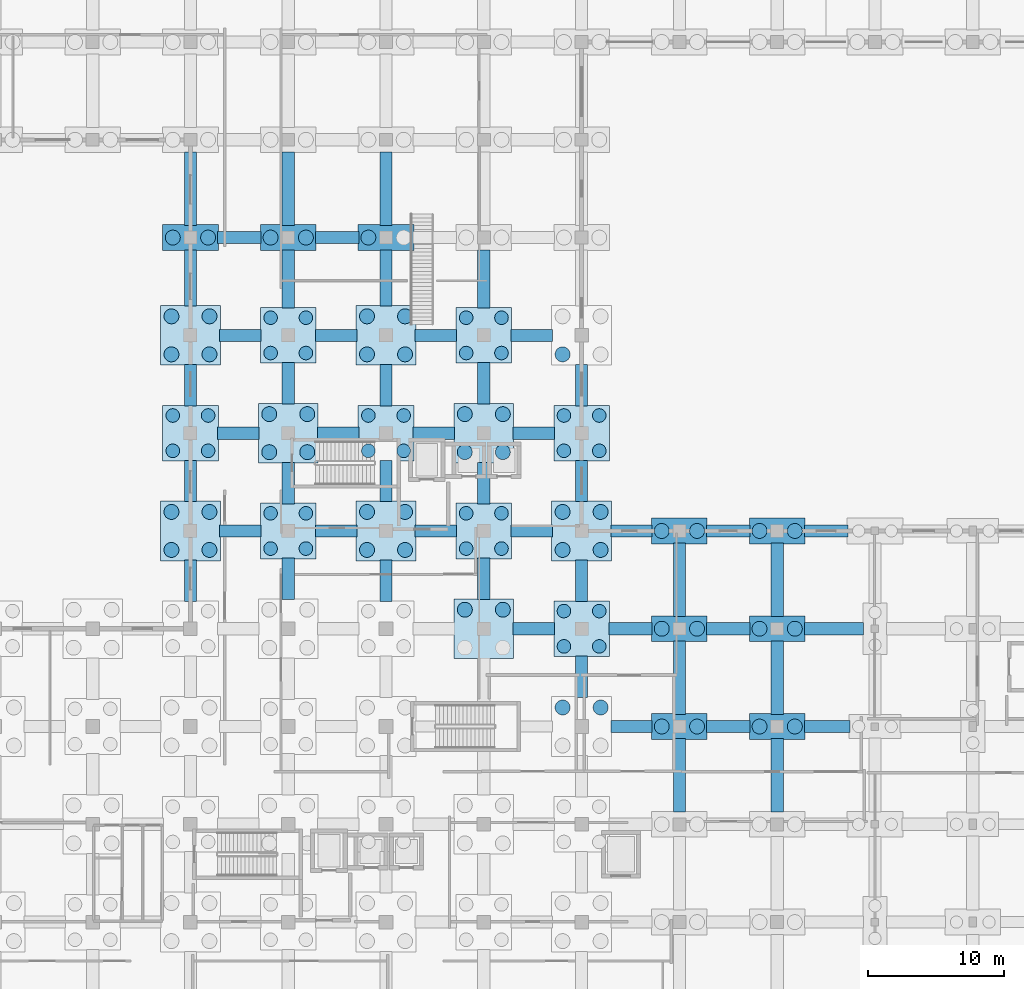
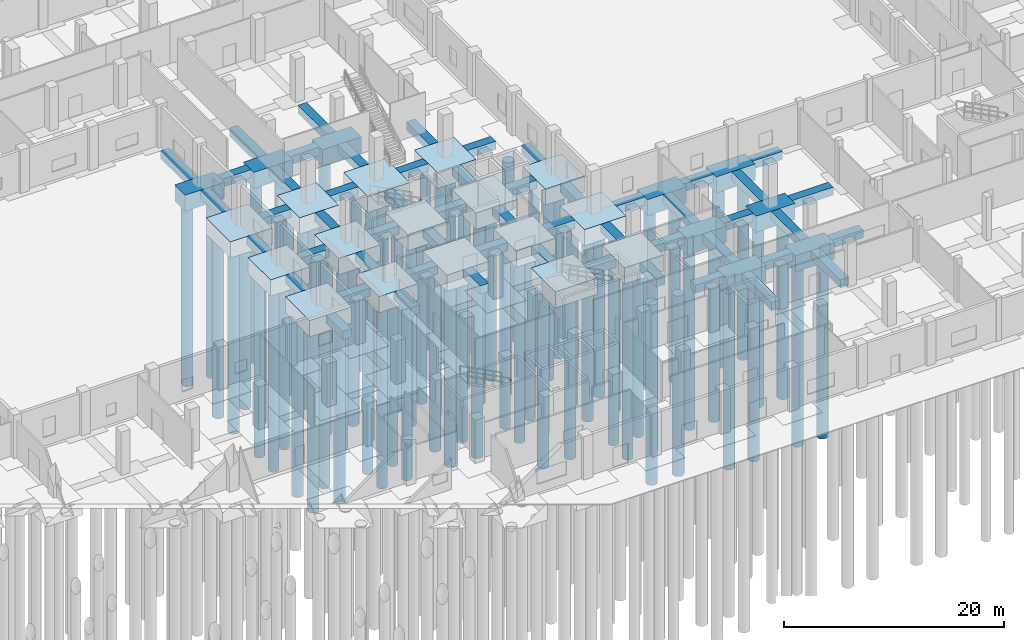
# One storey, part 5 of 48: 82 piles, 78 footings.
"""IFC4 building model written with IfcOpenShell, lengths in metres."""

from ifc_helpers import new_model, si_unit, direction, frame, origin, origin_2d, place, context, subcontext, project, spatial, rectangle, circle, extrude, material, material_profile, profile_set, type_object, element, save


model = new_model("IFC4")

# Units and contexts
model_context = context("Model", 3, precision=1e-05, world=origin(), true_north=direction((0.0, 1.0)))
body_context = subcontext(model_context, "Body", "Model", "MODEL_VIEW")
ifc_project = project(units=[si_unit("LENGTHUNIT", "METRE"), si_unit("AREAUNIT", "SQUARE_METRE"), si_unit("VOLUMEUNIT", "CUBIC_METRE"), si_unit("PLANEANGLEUNIT", "RADIAN"), si_unit("MASSUNIT", "GRAM", prefix="KILO")], contexts=[model_context])

# Site, building, storey
site_placement = place(None, origin())
site = spatial("IfcSite", under=ifc_project, at=site_placement, CompositionType="ELEMENT")
building_placement = place(site_placement, origin())
building = spatial("IfcBuilding", under=site, at=building_placement, Name="Seraya Terrace Polytechnic", CompositionType="ELEMENT")
storey_placement = place(building_placement, origin())
storey = spatial("IfcBuildingStorey", under=building, at=storey_placement, Name="L00", CompositionType="ELEMENT", Elevation=0.0)

# Piles
ifc_material = material(Name="Concrete C40/50", Category="concrete")
ifc_material_profile_1 = material_profile(ifc_material, circle(Radius=0.5, at=origin_2d()), Name="DIA 1000")
ifc_profile_set_1 = profile_set([ifc_material_profile_1], Name="Concrete C40/50")
pile_type_1 = type_object("IfcPileType", Name="BP-03", PredefinedType="BORED", material=ifc_profile_set_1)
for number, where, z_axis, x_axis, name in (
    (1, (77.89990234375, 41.89990234375, -1.699951171875), (0.0, 0.0, -1.0), (1.0, 0.0, 0.0), "Bored pile BP-03 0792_0432-1"),
    (2, (80.5, 41.89990234375, -1.699951171875), (0.0, 0.0, -1.0), (1.0, 0.0, 0.0), "Bored pile BP-03 0792_0432-2"),
    (3, (77.89990234375, 44.5, -1.699951171875), (0.0, 0.0, -1.0), (1.0, 0.0, 0.0), "Bored pile BP-03 0792_0432-3"),
    (4, (80.5, 44.5, -1.699951171875), (0.0, 0.0, -1.0), (1.0, 0.0, 0.0), "Bored pile BP-03 0792_0432-4"),
    (5, (85.10009765625, 34.699951171875, -1.699951171875), (0.0, 0.0, -1.0), (1.0, 0.0, 0.0), "Bored pile BP-03 0864_0360-1"),
    (6, (87.699951171875, 34.699951171875, -1.699951171875), (0.0, 0.0, -1.0), (1.0, 0.0, 0.0), "Bored pile BP-03 0864_0360-2"),
    (7, (85.10009765625, 37.300048828125, -1.699951171875), (0.0, 0.0, -1.0), (1.0, 0.0, 0.0), "Bored pile BP-03 0864_0360-3"),
    (8, (87.699951171875, 37.300048828125, -1.699951171875), (0.0, 0.0, -1.0), (1.0, 0.0, 0.0), "Bored pile BP-03 0864_0360-4"),
    (9, (85.10009765625, 49.10009765625, -1.699951171875), (0.0, 0.0, -1.0), (1.0, 0.0, 0.0), "Bored pile BP-03 0864_0504-1"),
    (10, (87.699951171875, 49.10009765625, -1.699951171875), (0.0, 0.0, -1.0), (1.0, 0.0, 0.0), "Bored pile BP-03 0864_0504-2"),
    (11, (85.10009765625, 51.699951171875, -1.699951171875), (0.0, 0.0, -1.0), (1.0, 0.0, 0.0), "Bored pile BP-03 0864_0504-3"),
    (12, (87.699951171875, 51.699951171875, -1.699951171875), (0.0, 0.0, -1.0), (1.0, 0.0, 0.0), "Bored pile BP-03 0864_0504-4"),
    (13, (92.300048828125, 41.89990234375, -1.699951171875), (0.0, 0.0, -1.0), (1.0, 0.0, 0.0), "Bored pile BP-03 0936_0432-1"),
    (14, (94.89990234375, 41.89990234375, -1.699951171875), (0.0, 0.0, -1.0), (1.0, 0.0, 0.0), "Bored pile BP-03 0936_0432-2"),
    (15, (92.300048828125, 44.5, -1.699951171875), (0.0, 0.0, -1.0), (1.0, 0.0, 0.0), "Bored pile BP-03 0936_0432-3"),
    (16, (94.89990234375, 44.5, -1.699951171875), (0.0, 0.0, -1.0), (1.0, 0.0, 0.0), "Bored pile BP-03 0936_0432-4"),
    (17, (99.5, 34.699951171875, -1.699951171875), (0.0, 0.0, -1.0), (1.0, 0.0, 0.0), "Bored pile BP-03 1008_0360-1"),
    (18, (102.10009765625, 34.699951171875, -1.699951171875), (0.0, 0.0, -1.0), (1.0, 0.0, 0.0), "Bored pile BP-03 1008_0360-2"),
    (19, (99.5, 37.300048828125, -1.699951171875), (0.0, 0.0, -1.0), (1.0, 0.0, 0.0), "Bored pile BP-03 1008_0360-3"),
    (20, (102.10009765625, 37.300048828125, -1.699951171875), (0.0, 0.0, -1.0), (1.0, 0.0, 0.0), "Bored pile BP-03 1008_0360-4"),
    (21, (99.5, 49.10009765625, -1.699951171875), (0.0, 0.0, -1.0), (1.0, 0.0, 0.0), "Bored pile BP-03 1008_0504-1"),
    (22, (102.10009765625, 49.10009765625, -1.699951171875), (0.0, 0.0, -1.0), (1.0, 0.0, 0.0), "Bored pile BP-03 1008_0504-2"),
    (23, (99.5, 51.699951171875, -1.699951171875), (0.0, 0.0, -1.0), (1.0, 0.0, 0.0), "Bored pile BP-03 1008_0504-3"),
    (24, (102.10009765625, 51.699951171875, -1.699951171875), (0.0, 0.0, -1.0), (1.0, 0.0, 0.0), "Bored pile BP-03 1008_0504-4"),
    (25, (106.699951171875, 27.5, -1.699951171875), (0.0, 0.0, -1.0), (1.0, 0.0, 0.0), "Bored pile BP-03 1080_0288-1"),
    (26, (109.300048828125, 27.5, -1.699951171875), (0.0, 0.0, -1.0), (1.0, 0.0, 0.0), "Bored pile BP-03 1080_0288-2"),
    (27, (106.699951171875, 30.10009765625, -1.699951171875), (0.0, 0.0, -1.0), (1.0, 0.0, 0.0), "Bored pile BP-03 1080_0288-3"),
    (28, (109.300048828125, 30.10009765625, -1.699951171875), (0.0, 0.0, -1.0), (1.0, 0.0, 0.0), "Bored pile BP-03 1080_0288-4"),
    (29, (106.699951171875, 41.89990234375, -1.699951171875), (0.0, 0.0, -1.0), (1.0, 0.0, 0.0), "Bored pile BP-03 1080_0432-1"),
    (30, (109.300048828125, 41.89990234375, -1.699951171875), (0.0, 0.0, -1.0), (1.0, 0.0, 0.0), "Bored pile BP-03 1080_0432-2"),
    (31, (106.699951171875, 44.5, -1.699951171875), (0.0, 0.0, -1.0), (1.0, 0.0, 0.0), "Bored pile BP-03 1080_0432-3"),
    (32, (109.300048828125, 44.5, -1.699951171875), (0.0, 0.0, -1.0), (1.0, 0.0, 0.0), "Bored pile BP-03 1080_0432-4"),
):
    element("IfcPile", number, at=place(storey_placement, frame(where, z_axis=z_axis, x_axis=x_axis)), inside=storey, type_object=pile_type_1, Name=name, PredefinedType="BORED", context=body_context, shape_type="SweptSolid", body=[
        extrude(circle(Radius=0.5, at=origin_2d()), origin(), (0.0, 0.0, 1.0), 20.0),
    ])
ifc_material_profile_2 = material_profile(ifc_material, circle(Radius=0.550048828125, at=origin_2d()), Name="DIA 1100")
ifc_profile_set_2 = profile_set([ifc_material_profile_2], Name="Concrete C40/50")
pile_type_2 = type_object("IfcPileType", Name="BP-04", PredefinedType="BORED", material=ifc_profile_set_2)
for number, where, z_axis, x_axis, name in (
    (33, (77.800048828125, 34.60009765625, -1.699951171875), (0.0, 0.0, -1.0), (1.0, 0.0, 0.0), "Bored pile BP-04 0792_0360-1"),
    (34, (80.60009765625, 34.60009765625, -1.699951171875), (0.0, 0.0, -1.0), (1.0, 0.0, 0.0), "Bored pile BP-04 0792_0360-2"),
    (35, (77.800048828125, 37.39990234375, -1.699951171875), (0.0, 0.0, -1.0), (1.0, 0.0, 0.0), "Bored pile BP-04 0792_0360-3"),
    (36, (80.60009765625, 37.39990234375, -1.699951171875), (0.0, 0.0, -1.0), (1.0, 0.0, 0.0), "Bored pile BP-04 0792_0360-4"),
    (37, (77.800048828125, 49.0, -1.699951171875), (0.0, 0.0, -1.0), (1.0, 0.0, 0.0), "Bored pile BP-04 0792_0504-1"),
    (38, (80.60009765625, 49.0, -1.699951171875), (0.0, 0.0, -1.0), (1.0, 0.0, 0.0), "Bored pile BP-04 0792_0504-2"),
    (39, (77.800048828125, 51.800048828125, -1.699951171875), (0.0, 0.0, -1.0), (1.0, 0.0, 0.0), "Bored pile BP-04 0792_0504-3"),
    (40, (80.60009765625, 51.800048828125, -1.699951171875), (0.0, 0.0, -1.0), (1.0, 0.0, 0.0), "Bored pile BP-04 0792_0504-4"),
    (41, (77.89990234375, 57.60009765625, -1.699951171875), (0.0, 0.0, -1.0), (1.0, 0.0, 0.0), "Bored pile BP-04 0792_0576-1"),
    (42, (80.5, 57.60009765625, -1.699951171875), (0.0, 0.0, -1.0), (1.0, 0.0, 0.0), "Bored pile BP-04 0792_0576-2"),
    (43, (85.0, 41.800048828125, -1.699951171875), (0.0, 0.0, -1.0), (1.0, 0.0, 0.0), "Bored pile BP-04 0864_0432-1"),
    (44, (87.800048828125, 41.800048828125, -1.699951171875), (0.0, 0.0, -1.0), (1.0, 0.0, 0.0), "Bored pile BP-04 0864_0432-2"),
    (45, (85.0, 44.60009765625, -1.699951171875), (0.0, 0.0, -1.0), (1.0, 0.0, 0.0), "Bored pile BP-04 0864_0432-3"),
    (46, (87.800048828125, 44.60009765625, -1.699951171875), (0.0, 0.0, -1.0), (1.0, 0.0, 0.0), "Bored pile BP-04 0864_0432-4"),
    (47, (85.10009765625, 57.60009765625, -1.699951171875), (0.0, 0.0, -1.0), (1.0, 0.0, 0.0), "Bored pile BP-04 0864_0576-1"),
    (48, (87.699951171875, 57.60009765625, -1.699951171875), (0.0, 0.0, -1.0), (1.0, 0.0, 0.0), "Bored pile BP-04 0864_0576-2"),
    (49, (92.199951171875, 34.60009765625, -1.699951171875), (0.0, 0.0, -1.0), (1.0, 0.0, 0.0), "Bored pile BP-04 0936_0360-1"),
    (50, (95.0, 34.60009765625, -1.699951171875), (0.0, 0.0, -1.0), (1.0, 0.0, 0.0), "Bored pile BP-04 0936_0360-2"),
    (51, (92.199951171875, 37.39990234375, -1.699951171875), (0.0, 0.0, -1.0), (1.0, 0.0, 0.0), "Bored pile BP-04 0936_0360-3"),
    (52, (95.0, 37.39990234375, -1.699951171875), (0.0, 0.0, -1.0), (1.0, 0.0, 0.0), "Bored pile BP-04 0936_0360-4"),
    (53, (92.199951171875, 49.0, -1.699951171875), (0.0, 0.0, -1.0), (1.0, 0.0, 0.0), "Bored pile BP-04 0936_0504-1"),
    (54, (95.0, 49.0, -1.699951171875), (0.0, 0.0, -1.0), (1.0, 0.0, 0.0), "Bored pile BP-04 0936_0504-2"),
    (55, (92.199951171875, 51.800048828125, -1.699951171875), (0.0, 0.0, -1.0), (1.0, 0.0, 0.0), "Bored pile BP-04 0936_0504-3"),
    (56, (95.0, 51.800048828125, -1.699951171875), (0.0, 0.0, -1.0), (1.0, 0.0, 0.0), "Bored pile BP-04 0936_0504-4"),
    (57, (92.300048828125, 57.60009765625, -1.699951171875), (0.0, 0.0, -1.0), (1.0, 0.0, 0.0), "Bored pile BP-04 0936_0576-1"),
    (58, (99.39990234375, 30.199951171875, -1.699951171875), (0.0, 0.0, -1.0), (1.0, 0.0, 0.0), "Bored pile BP-04 1008_0288-3"),
    (59, (102.199951171875, 30.199951171875, -1.699951171875), (0.0, 0.0, -1.0), (1.0, 0.0, 0.0), "Bored pile BP-04 1008_0288-4"),
    (60, (99.39990234375, 41.800048828125, -1.699951171875), (0.0, 0.0, -1.0), (1.0, 0.0, 0.0), "Bored pile BP-04 1008_0432-1"),
    (61, (102.199951171875, 41.800048828125, -1.699951171875), (0.0, 0.0, -1.0), (1.0, 0.0, 0.0), "Bored pile BP-04 1008_0432-2"),
    (62, (99.39990234375, 44.60009765625, -1.699951171875), (0.0, 0.0, -1.0), (1.0, 0.0, 0.0), "Bored pile BP-04 1008_0432-3"),
    (63, (102.199951171875, 44.60009765625, -1.699951171875), (0.0, 0.0, -1.0), (1.0, 0.0, 0.0), "Bored pile BP-04 1008_0432-4"),
    (64, (106.60009765625, 23.0, -1.699951171875), (0.0, 0.0, -1.0), (1.0, 0.0, 0.0), "Bored pile BP-04 1080_0216-3"),
    (65, (109.39990234375, 23.0, -1.699951171875), (0.0, 0.0, -1.0), (1.0, 0.0, 0.0), "Bored pile BP-04 1080_0216-4"),
    (66, (106.60009765625, 34.60009765625, -1.699951171875), (0.0, 0.0, -1.0), (1.0, 0.0, 0.0), "Bored pile BP-04 1080_0360-1"),
    (67, (109.39990234375, 34.60009765625, -1.699951171875), (0.0, 0.0, -1.0), (1.0, 0.0, 0.0), "Bored pile BP-04 1080_0360-2"),
    (68, (106.60009765625, 37.39990234375, -1.699951171875), (0.0, 0.0, -1.0), (1.0, 0.0, 0.0), "Bored pile BP-04 1080_0360-3"),
    (69, (109.39990234375, 37.39990234375, -1.699951171875), (0.0, 0.0, -1.0), (1.0, 0.0, 0.0), "Bored pile BP-04 1080_0360-4"),
    (70, (106.60009765625, 49.0, -1.699951171875), (0.0, 0.0, -1.0), (1.0, 0.0, 0.0), "Bored pile BP-04 1080_0504-1"),
    (71, (113.89990234375, 21.60009765625, -1.699951171875), (0.0, 0.0, -1.0), (1.0, 0.0, 0.0), "Bored pile BP-04 1152_0216-1"),
    (72, (116.5, 21.60009765625, -1.699951171875), (0.0, 0.0, -1.0), (1.0, 0.0, 0.0), "Bored pile BP-04 1152_0216-2"),
    (73, (113.89990234375, 28.800048828125, -1.699951171875), (0.0, 0.0, -1.0), (1.0, 0.0, 0.0), "Bored pile BP-04 1152_0288-1"),
    (74, (116.5, 28.800048828125, -1.699951171875), (0.0, 0.0, -1.0), (1.0, 0.0, 0.0), "Bored pile BP-04 1152_0288-2"),
    (75, (113.89990234375, 36.0, -1.699951171875), (0.0, 0.0, -1.0), (1.0, 0.0, 0.0), "Bored pile BP-04 1152_0360-1"),
    (76, (116.5, 36.0, -1.699951171875), (0.0, 0.0, -1.0), (1.0, 0.0, 0.0), "Bored pile BP-04 1152_0360-2"),
    (77, (121.10009765625, 21.60009765625, -1.699951171875), (0.0, 0.0, -1.0), (1.0, 0.0, 0.0), "Bored pile BP-04 1224_0216-1"),
    (78, (123.699951171875, 21.60009765625, -1.699951171875), (0.0, 0.0, -1.0), (1.0, 0.0, 0.0), "Bored pile BP-04 1224_0216-2"),
    (79, (121.10009765625, 28.800048828125, -1.699951171875), (0.0, 0.0, -1.0), (1.0, 0.0, 0.0), "Bored pile BP-04 1224_0288-1"),
    (80, (123.699951171875, 28.800048828125, -1.699951171875), (0.0, 0.0, -1.0), (1.0, 0.0, 0.0), "Bored pile BP-04 1224_0288-2"),
    (81, (121.10009765625, 36.0, -1.699951171875), (0.0, 0.0, -1.0), (1.0, 0.0, 0.0), "Bored pile BP-04 1224_0360-1"),
    (82, (123.699951171875, 36.0, -1.699951171875), (0.0, 0.0, -1.0), (1.0, 0.0, 0.0), "Bored pile BP-04 1224_0360-2"),
):
    element("IfcPile", number, at=place(storey_placement, frame(where, z_axis=z_axis, x_axis=x_axis)), inside=storey, type_object=pile_type_2, Name=name, PredefinedType="BORED", context=body_context, shape_type="SweptSolid", body=[
        extrude(circle(Radius=0.550048828125, at=origin_2d()), origin(), (0.0, 0.0, 1.0), 20.0),
    ])

# Footings
footing_type_1 = type_object("IfcFootingType", Name="FB-01", PredefinedType="FOOTING_BEAM", material=ifc_material)
for number, where, z_axis, x_axis, name in (
    (83, (79.199951171875, 32.324951171875, -0.89990234375), (0.0, 0.0, 1.0), (0.0, 1.0, 0.0), "Foundation tie beam FB-01 Y"),
    (84, (82.875, 36.0, -0.89990234375), (0.0, 0.0, 1.0), (1.0, 0.0, 0.0), "Foundation tie beam FB-01 X"),
    (85, (79.199951171875, 39.675048828125, -0.89990234375), (0.0, 0.0, 1.0), (0.0, 1.0, 0.0), "Foundation tie beam FB-01 Y"),
    (86, (82.72509765625, 43.199951171875, -0.89990234375), (0.0, 0.0, 1.0), (1.0, 0.0, 0.0), "Foundation tie beam FB-01 X"),
    (87, (79.199951171875, 46.72509765625, -0.89990234375), (0.0, 0.0, 1.0), (0.0, 1.0, 0.0), "Foundation tie beam FB-01 Y"),
    (88, (82.875, 50.39990234375, -0.89990234375), (0.0, 0.0, 1.0), (1.0, 0.0, 0.0), "Foundation tie beam FB-01 X"),
):
    element("IfcFooting", number, at=place(storey_placement, frame(where, z_axis=z_axis, x_axis=x_axis)), inside=storey, type_object=footing_type_1, Name=name, PredefinedType="FOOTING_BEAM", context=body_context, shape_type="SweptSolid", body=[
        extrude(rectangle(XDim=3.050048828125, YDim=0.89990234375, at=origin_2d()), origin(), (0.0, 0.0, 1.0), 0.89990234375),
    ])
footing_1_placement = place(storey_placement, frame((79.199951171875, 54.625, -0.89990234375), z_axis=(0.0, 0.0, 1.0), x_axis=(0.0, 1.0, 0.0)))
element("IfcFooting", 89, at=footing_1_placement, inside=storey, type_object=footing_type_1, Name="Foundation tie beam FB-01 Y", PredefinedType="FOOTING_BEAM", context=body_context, shape_type="SweptSolid", body=[
    extrude(rectangle(XDim=4.14990234375, YDim=0.89990234375, at=origin_2d()), origin(), (0.0, 0.0, 1.0), 0.89990234375),
])
footing_2_placement = place(storey_placement, frame((82.800048828125, 57.60009765625, -0.89990234375), z_axis=(0.0, 0.0, 1.0), x_axis=(1.0, 0.0, 0.0)))
element("IfcFooting", 90, at=footing_2_placement, inside=storey, type_object=footing_type_1, Name="Foundation tie beam FB-01 X", PredefinedType="FOOTING_BEAM", context=body_context, shape_type="SweptSolid", body=[
    extrude(rectangle(XDim=3.199951171875, YDim=0.89990234375, at=origin_2d()), origin(), (0.0, 0.0, 1.0), 0.89990234375),
])
footing_3_placement = place(storey_placement, frame((79.199951171875, 61.199951171875, -0.89990234375), z_axis=(0.0, 0.0, 1.0), x_axis=(0.0, 1.0, 0.0)))
element("IfcFooting", 91, at=footing_3_placement, inside=storey, type_object=footing_type_1, Name="Foundation tie beam FB-01 Y", PredefinedType="FOOTING_BEAM", context=body_context, shape_type="SweptSolid", body=[
    extrude(rectangle(XDim=5.39990234375, YDim=0.89990234375, at=origin_2d()), origin(), (0.0, 0.0, 1.0), 0.89990234375),
])
for number, where, z_axis, x_axis, name in (
    (92, (86.39990234375, 32.47509765625, -0.89990234375), (0.0, 0.0, 1.0), (0.0, 1.0, 0.0), "Foundation tie beam FB-01 Y"),
    (93, (89.925048828125, 36.0, -0.89990234375), (0.0, 0.0, 1.0), (1.0, 0.0, 0.0), "Foundation tie beam FB-01 X"),
    (94, (86.39990234375, 39.52490234375, -0.89990234375), (0.0, 0.0, 1.0), (0.0, 1.0, 0.0), "Foundation tie beam FB-01 Y"),
    (95, (90.074951171875, 43.199951171875, -0.89990234375), (0.0, 0.0, 1.0), (1.0, 0.0, 0.0), "Foundation tie beam FB-01 X"),
    (96, (86.39990234375, 46.875, -0.89990234375), (0.0, 0.0, 1.0), (0.0, 1.0, 0.0), "Foundation tie beam FB-01 Y"),
    (97, (89.925048828125, 50.39990234375, -0.89990234375), (0.0, 0.0, 1.0), (1.0, 0.0, 0.0), "Foundation tie beam FB-01 X"),
):
    element("IfcFooting", number, at=place(storey_placement, frame(where, z_axis=z_axis, x_axis=x_axis)), inside=storey, type_object=footing_type_1, Name=name, PredefinedType="FOOTING_BEAM", context=body_context, shape_type="SweptSolid", body=[
        extrude(rectangle(XDim=3.050048828125, YDim=0.89990234375, at=origin_2d()), origin(), (0.0, 0.0, 1.0), 0.89990234375),
    ])
footing_4_placement = place(storey_placement, frame((86.39990234375, 54.550048828125, -0.89990234375), z_axis=(0.0, 0.0, 1.0), x_axis=(0.0, 1.0, 0.0)))
element("IfcFooting", 98, at=footing_4_placement, inside=storey, type_object=footing_type_1, Name="Foundation tie beam FB-01 Y", PredefinedType="FOOTING_BEAM", context=body_context, shape_type="SweptSolid", body=[
    extrude(rectangle(XDim=4.300048828125, YDim=0.89990234375, at=origin_2d()), origin(), (0.0, 0.0, 1.0), 0.89990234375),
])
footing_5_placement = place(storey_placement, frame((90.0, 57.60009765625, -0.89990234375), z_axis=(0.0, 0.0, 1.0), x_axis=(1.0, 0.0, 0.0)))
element("IfcFooting", 99, at=footing_5_placement, inside=storey, type_object=footing_type_1, Name="Foundation tie beam FB-01 X", PredefinedType="FOOTING_BEAM", context=body_context, shape_type="SweptSolid", body=[
    extrude(rectangle(XDim=3.199951171875, YDim=0.89990234375, at=origin_2d()), origin(), (0.0, 0.0, 1.0), 0.89990234375),
])
footing_6_placement = place(storey_placement, frame((86.39990234375, 61.199951171875, -0.89990234375), z_axis=(0.0, 0.0, 1.0), x_axis=(0.0, 1.0, 0.0)))
element("IfcFooting", 100, at=footing_6_placement, inside=storey, type_object=footing_type_1, Name="Foundation tie beam FB-01 Y", PredefinedType="FOOTING_BEAM", context=body_context, shape_type="SweptSolid", body=[
    extrude(rectangle(XDim=5.39990234375, YDim=0.89990234375, at=origin_2d()), origin(), (0.0, 0.0, 1.0), 0.89990234375),
])
for number, where, z_axis, x_axis, name in (
    (101, (93.60009765625, 32.324951171875, -0.89990234375), (0.0, 0.0, 1.0), (0.0, 1.0, 0.0), "Foundation tie beam FB-01 Y"),
    (102, (97.27490234375, 36.0, -0.89990234375), (0.0, 0.0, 1.0), (1.0, 0.0, 0.0), "Foundation tie beam FB-01 X"),
    (103, (93.60009765625, 39.675048828125, -0.89990234375), (0.0, 0.0, 1.0), (0.0, 1.0, 0.0), "Foundation tie beam FB-01 Y"),
    (104, (97.125, 43.199951171875, -0.89990234375), (0.0, 0.0, 1.0), (1.0, 0.0, 0.0), "Foundation tie beam FB-01 X"),
    (105, (93.60009765625, 46.72509765625, -0.89990234375), (0.0, 0.0, 1.0), (0.0, 1.0, 0.0), "Foundation tie beam FB-01 Y"),
    (106, (97.27490234375, 50.39990234375, -0.89990234375), (0.0, 0.0, 1.0), (1.0, 0.0, 0.0), "Foundation tie beam FB-01 X"),
):
    element("IfcFooting", number, at=place(storey_placement, frame(where, z_axis=z_axis, x_axis=x_axis)), inside=storey, type_object=footing_type_1, Name=name, PredefinedType="FOOTING_BEAM", context=body_context, shape_type="SweptSolid", body=[
        extrude(rectangle(XDim=3.050048828125, YDim=0.89990234375, at=origin_2d()), origin(), (0.0, 0.0, 1.0), 0.89990234375),
    ])
footing_7_placement = place(storey_placement, frame((93.60009765625, 54.625, -0.89990234375), z_axis=(0.0, 0.0, 1.0), x_axis=(0.0, 1.0, 0.0)))
element("IfcFooting", 107, at=footing_7_placement, inside=storey, type_object=footing_type_1, Name="Foundation tie beam FB-01 Y", PredefinedType="FOOTING_BEAM", context=body_context, shape_type="SweptSolid", body=[
    extrude(rectangle(XDim=4.14990234375, YDim=0.89990234375, at=origin_2d()), origin(), (0.0, 0.0, 1.0), 0.89990234375),
])
footing_8_placement = place(storey_placement, frame((93.60009765625, 61.199951171875, -0.89990234375), z_axis=(0.0, 0.0, 1.0), x_axis=(0.0, 1.0, 0.0)))
element("IfcFooting", 108, at=footing_8_placement, inside=storey, type_object=footing_type_1, Name="Foundation tie beam FB-01 Y", PredefinedType="FOOTING_BEAM", context=body_context, shape_type="SweptSolid", body=[
    extrude(rectangle(XDim=5.39990234375, YDim=0.89990234375, at=origin_2d()), origin(), (0.0, 0.0, 1.0), 0.89990234375),
])
for number, where, z_axis, x_axis, name in (
    (109, (104.47509765625, 28.800048828125, -0.89990234375), (0.0, 0.0, 1.0), (1.0, 0.0, 0.0), "Foundation tie beam FB-01 X"),
    (110, (100.800048828125, 32.47509765625, -0.89990234375), (0.0, 0.0, 1.0), (0.0, 1.0, 0.0), "Foundation tie beam FB-01 Y"),
    (111, (104.324951171875, 36.0, -0.89990234375), (0.0, 0.0, 1.0), (1.0, 0.0, 0.0), "Foundation tie beam FB-01 X"),
    (112, (100.800048828125, 39.52490234375, -0.89990234375), (0.0, 0.0, 1.0), (0.0, 1.0, 0.0), "Foundation tie beam FB-01 Y"),
    (113, (104.47509765625, 43.199951171875, -0.89990234375), (0.0, 0.0, 1.0), (1.0, 0.0, 0.0), "Foundation tie beam FB-01 X"),
    (114, (100.800048828125, 46.875, -0.89990234375), (0.0, 0.0, 1.0), (0.0, 1.0, 0.0), "Foundation tie beam FB-01 Y"),
    (115, (104.324951171875, 50.39990234375, -0.89990234375), (0.0, 0.0, 1.0), (1.0, 0.0, 0.0), "Foundation tie beam FB-01 X"),
):
    element("IfcFooting", number, at=place(storey_placement, frame(where, z_axis=z_axis, x_axis=x_axis)), inside=storey, type_object=footing_type_1, Name=name, PredefinedType="FOOTING_BEAM", context=body_context, shape_type="SweptSolid", body=[
        extrude(rectangle(XDim=3.050048828125, YDim=0.89990234375, at=origin_2d()), origin(), (0.0, 0.0, 1.0), 0.89990234375),
    ])
footing_9_placement = place(storey_placement, frame((100.800048828125, 54.550048828125, -0.89990234375), z_axis=(0.0, 0.0, 1.0), x_axis=(0.0, 1.0, 0.0)))
element("IfcFooting", 116, at=footing_9_placement, inside=storey, type_object=footing_type_1, Name="Foundation tie beam FB-01 Y", PredefinedType="FOOTING_BEAM", context=body_context, shape_type="SweptSolid", body=[
    extrude(rectangle(XDim=4.300048828125, YDim=0.89990234375, at=origin_2d()), origin(), (0.0, 0.0, 1.0), 0.89990234375),
])
for number, where, z_axis, x_axis, name in (
    (117, (111.675048828125, 21.60009765625, -0.89990234375), (0.0, 0.0, 1.0), (1.0, 0.0, 0.0), "Foundation tie beam FB-01 X"),
    (118, (108.0, 25.27490234375, -0.89990234375), (0.0, 0.0, 1.0), (0.0, 1.0, 0.0), "Foundation tie beam FB-01 Y"),
):
    element("IfcFooting", number, at=place(storey_placement, frame(where, z_axis=z_axis, x_axis=x_axis)), inside=storey, type_object=footing_type_1, Name=name, PredefinedType="FOOTING_BEAM", context=body_context, shape_type="SweptSolid", body=[
        extrude(rectangle(XDim=3.050048828125, YDim=0.89990234375, at=origin_2d()), origin(), (0.0, 0.0, 1.0), 0.89990234375),
    ])
footing_10_placement = place(storey_placement, frame((111.60009765625, 28.800048828125, -0.89990234375), z_axis=(0.0, 0.0, 1.0), x_axis=(1.0, 0.0, 0.0)))
element("IfcFooting", 119, at=footing_10_placement, inside=storey, type_object=footing_type_1, Name="Foundation tie beam FB-01 X", PredefinedType="FOOTING_BEAM", context=body_context, shape_type="SweptSolid", body=[
    extrude(rectangle(XDim=3.199951171875, YDim=0.89990234375, at=origin_2d()), origin(), (0.0, 0.0, 1.0), 0.89990234375),
])
for number, where, z_axis, x_axis, name in (
    (120, (108.0, 32.324951171875, -0.89990234375), (0.0, 0.0, 1.0), (0.0, 1.0, 0.0), "Foundation tie beam FB-01 Y"),
    (121, (111.675048828125, 36.0, -0.89990234375), (0.0, 0.0, 1.0), (1.0, 0.0, 0.0), "Foundation tie beam FB-01 X"),
    (122, (108.0, 39.675048828125, -0.89990234375), (0.0, 0.0, 1.0), (0.0, 1.0, 0.0), "Foundation tie beam FB-01 Y"),
    (123, (108.0, 46.72509765625, -0.89990234375), (0.0, 0.0, 1.0), (0.0, 1.0, 0.0), "Foundation tie beam FB-01 Y"),
):
    element("IfcFooting", number, at=place(storey_placement, frame(where, z_axis=z_axis, x_axis=x_axis)), inside=storey, type_object=footing_type_1, Name=name, PredefinedType="FOOTING_BEAM", context=body_context, shape_type="SweptSolid", body=[
        extrude(rectangle(XDim=3.050048828125, YDim=0.89990234375, at=origin_2d()), origin(), (0.0, 0.0, 1.0), 0.89990234375),
    ])
footing_11_placement = place(storey_placement, frame((115.199951171875, 18.0, -0.89990234375), z_axis=(0.0, 0.0, 1.0), x_axis=(0.0, 1.0, 0.0)))
element("IfcFooting", 124, at=footing_11_placement, inside=storey, type_object=footing_type_1, Name="Foundation tie beam FB-01 Y", PredefinedType="FOOTING_BEAM", context=body_context, shape_type="SweptSolid", body=[
    extrude(rectangle(XDim=5.39990234375, YDim=0.89990234375, at=origin_2d()), origin(), (0.0, 0.0, 1.0), 0.89990234375),
])
footing_12_placement = place(storey_placement, frame((118.800048828125, 21.60009765625, -0.89990234375), z_axis=(0.0, 0.0, 1.0), x_axis=(1.0, 0.0, 0.0)))
element("IfcFooting", 125, at=footing_12_placement, inside=storey, type_object=footing_type_1, Name="Foundation tie beam FB-01 X", PredefinedType="FOOTING_BEAM", context=body_context, shape_type="SweptSolid", body=[
    extrude(rectangle(XDim=3.199951171875, YDim=0.89990234375, at=origin_2d()), origin(), (0.0, 0.0, 1.0), 0.89990234375),
])
footing_13_placement = place(storey_placement, frame((115.199951171875, 25.199951171875, -0.89990234375), z_axis=(0.0, 0.0, 1.0), x_axis=(0.0, 1.0, 0.0)))
element("IfcFooting", 126, at=footing_13_placement, inside=storey, type_object=footing_type_1, Name="Foundation tie beam FB-01 Y", PredefinedType="FOOTING_BEAM", context=body_context, shape_type="SweptSolid", body=[
    extrude(rectangle(XDim=5.39990234375, YDim=0.89990234375, at=origin_2d()), origin(), (0.0, 0.0, 1.0), 0.89990234375),
])
footing_14_placement = place(storey_placement, frame((118.800048828125, 28.800048828125, -0.89990234375), z_axis=(0.0, 0.0, 1.0), x_axis=(1.0, 0.0, 0.0)))
element("IfcFooting", 127, at=footing_14_placement, inside=storey, type_object=footing_type_1, Name="Foundation tie beam FB-01 X", PredefinedType="FOOTING_BEAM", context=body_context, shape_type="SweptSolid", body=[
    extrude(rectangle(XDim=3.199951171875, YDim=0.89990234375, at=origin_2d()), origin(), (0.0, 0.0, 1.0), 0.89990234375),
])
footing_15_placement = place(storey_placement, frame((115.199951171875, 32.39990234375, -0.89990234375), z_axis=(0.0, 0.0, 1.0), x_axis=(0.0, 1.0, 0.0)))
element("IfcFooting", 128, at=footing_15_placement, inside=storey, type_object=footing_type_1, Name="Foundation tie beam FB-01 Y", PredefinedType="FOOTING_BEAM", context=body_context, shape_type="SweptSolid", body=[
    extrude(rectangle(XDim=5.39990234375, YDim=0.89990234375, at=origin_2d()), origin(), (0.0, 0.0, 1.0), 0.89990234375),
])
footing_16_placement = place(storey_placement, frame((118.800048828125, 36.0, -0.89990234375), z_axis=(0.0, 0.0, 1.0), x_axis=(1.0, 0.0, 0.0)))
element("IfcFooting", 129, at=footing_16_placement, inside=storey, type_object=footing_type_1, Name="Foundation tie beam FB-01 X", PredefinedType="FOOTING_BEAM", context=body_context, shape_type="SweptSolid", body=[
    extrude(rectangle(XDim=3.199951171875, YDim=0.89990234375, at=origin_2d()), origin(), (0.0, 0.0, 1.0), 0.89990234375),
])
footing_17_placement = place(storey_placement, frame((122.39990234375, 18.0, -0.89990234375), z_axis=(0.0, 0.0, 1.0), x_axis=(0.0, 1.0, 0.0)))
element("IfcFooting", 130, at=footing_17_placement, inside=storey, type_object=footing_type_1, Name="Foundation tie beam FB-01 Y", PredefinedType="FOOTING_BEAM", context=body_context, shape_type="SweptSolid", body=[
    extrude(rectangle(XDim=5.39990234375, YDim=0.89990234375, at=origin_2d()), origin(), (0.0, 0.0, 1.0), 0.89990234375),
])
footing_18_placement = place(storey_placement, frame((126.074951171875, 21.60009765625, -0.89990234375), z_axis=(0.0, 0.0, 1.0), x_axis=(1.0, 0.0, 0.0)))
element("IfcFooting", 131, at=footing_18_placement, inside=storey, type_object=footing_type_1, Name="Foundation tie beam FB-01 X", PredefinedType="FOOTING_BEAM", context=body_context, shape_type="SweptSolid", body=[
    extrude(rectangle(XDim=3.35009765625, YDim=0.89990234375, at=origin_2d()), origin(), (0.0, 0.0, 1.0), 0.89990234375),
])
footing_19_placement = place(storey_placement, frame((122.39990234375, 25.199951171875, -0.89990234375), z_axis=(0.0, 0.0, 1.0), x_axis=(0.0, 1.0, 0.0)))
element("IfcFooting", 132, at=footing_19_placement, inside=storey, type_object=footing_type_1, Name="Foundation tie beam FB-01 Y", PredefinedType="FOOTING_BEAM", context=body_context, shape_type="SweptSolid", body=[
    extrude(rectangle(XDim=5.39990234375, YDim=0.89990234375, at=origin_2d()), origin(), (0.0, 0.0, 1.0), 0.89990234375),
])
footing_20_placement = place(storey_placement, frame((126.574951171875, 28.800048828125, -0.89990234375), z_axis=(0.0, 0.0, 1.0), x_axis=(1.0, 0.0, 0.0)))
element("IfcFooting", 133, at=footing_20_placement, inside=storey, type_object=footing_type_1, Name="Foundation tie beam FB-01 X", PredefinedType="FOOTING_BEAM", context=body_context, shape_type="SweptSolid", body=[
    extrude(rectangle(XDim=4.35009765625, YDim=0.89990234375, at=origin_2d()), origin(), (0.0, 0.0, 1.0), 0.89990234375),
])
footing_21_placement = place(storey_placement, frame((122.39990234375, 32.39990234375, -0.89990234375), z_axis=(0.0, 0.0, 1.0), x_axis=(0.0, 1.0, 0.0)))
element("IfcFooting", 134, at=footing_21_placement, inside=storey, type_object=footing_type_1, Name="Foundation tie beam FB-01 Y", PredefinedType="FOOTING_BEAM", context=body_context, shape_type="SweptSolid", body=[
    extrude(rectangle(XDim=5.39990234375, YDim=0.89990234375, at=origin_2d()), origin(), (0.0, 0.0, 1.0), 0.89990234375),
])
footing_22_placement = place(storey_placement, frame((126.0, 36.0, -0.89990234375), z_axis=(0.0, 0.0, 1.0), x_axis=(1.0, 0.0, 0.0)))
element("IfcFooting", 135, at=footing_22_placement, inside=storey, type_object=footing_type_1, Name="Foundation tie beam FB-01 X", PredefinedType="FOOTING_BEAM", context=body_context, shape_type="SweptSolid", body=[
    extrude(rectangle(XDim=3.199951171875, YDim=0.89990234375, at=origin_2d()), origin(), (0.0, 0.0, 1.0), 0.89990234375),
])
footing_type_2 = type_object("IfcFootingType", Name="PC-05", PredefinedType="PILE_CAP", material=ifc_material)
for number, where, z_axis, x_axis, name in (
    (136, (79.199951171875, 57.60009765625, -1.7998046875), (0.0, 0.0, 1.0), (1.0, 0.0, 0.0), "Pile cap PC-05 at (79.2, 57.6)"),
    (137, (86.39990234375, 57.60009765625, -1.7998046875), (0.0, 0.0, 1.0), (1.0, 0.0, 0.0), "Pile cap PC-05 at (86.4, 57.6)"),
    (138, (93.60009765625, 57.60009765625, -1.7998046875), (0.0, 0.0, 1.0), (1.0, 0.0, 0.0), "Pile cap PC-05 at (93.6, 57.6)"),
    (139, (115.199951171875, 21.60009765625, -1.7998046875), (0.0, 0.0, 1.0), (1.0, 0.0, 0.0), "Pile cap PC-05 at (115.2, 21.6)"),
    (140, (115.199951171875, 28.800048828125, -1.7998046875), (0.0, 0.0, 1.0), (1.0, 0.0, 0.0), "Pile cap PC-05 at (115.2, 28.8)"),
    (141, (115.199951171875, 36.0, -1.7998046875), (0.0, 0.0, 1.0), (1.0, 0.0, 0.0), "Pile cap PC-05 at (115.2, 36.0)"),
    (142, (122.39990234375, 21.60009765625, -1.7998046875), (0.0, 0.0, 1.0), (1.0, 0.0, 0.0), "Pile cap PC-05 at (122.4, 21.6)"),
    (143, (122.39990234375, 28.800048828125, -1.7998046875), (0.0, 0.0, 1.0), (1.0, 0.0, 0.0), "Pile cap PC-05 at (122.4, 28.8)"),
    (144, (122.39990234375, 36.0, -1.7998046875), (0.0, 0.0, 1.0), (1.0, 0.0, 0.0), "Pile cap PC-05 at (122.4, 36.0)"),
):
    element("IfcFooting", number, at=place(storey_placement, frame(where, z_axis=z_axis, x_axis=x_axis)), inside=storey, type_object=footing_type_2, Name=name, PredefinedType="PILE_CAP", context=body_context, shape_type="SweptSolid", body=[
        extrude(rectangle(XDim=4.10009765625, YDim=1.89990234375, at=origin_2d()), origin(), (0.0, 0.0, 1.0), 1.800048828125),
    ])
footing_type_3 = type_object("IfcFootingType", Name="PC-07", PredefinedType="PILE_CAP", material=ifc_material)
for number, where, z_axis, x_axis, name in (
    (145, (79.199951171875, 43.199951171875, -1.7998046875), (0.0, 0.0, 1.0), (1.0, 0.0, 0.0), "Pile cap PC-07 at (79.2, 43.2)"),
    (146, (86.39990234375, 36.0, -1.7998046875), (0.0, 0.0, 1.0), (1.0, 0.0, 0.0), "Pile cap PC-07 at (86.4, 36.0)"),
    (147, (86.39990234375, 50.39990234375, -1.7998046875), (0.0, 0.0, 1.0), (1.0, 0.0, 0.0), "Pile cap PC-07 at (86.4, 50.4)"),
    (148, (93.60009765625, 43.199951171875, -1.7998046875), (0.0, 0.0, 1.0), (1.0, 0.0, 0.0), "Pile cap PC-07 at (93.6, 43.2)"),
    (149, (100.800048828125, 36.0, -1.7998046875), (0.0, 0.0, 1.0), (1.0, 0.0, 0.0), "Pile cap PC-07 at (100.8, 36.0)"),
    (150, (100.800048828125, 50.39990234375, -1.7998046875), (0.0, 0.0, 1.0), (1.0, 0.0, 0.0), "Pile cap PC-07 at (100.8, 50.4)"),
    (151, (108.0, 28.800048828125, -1.7998046875), (0.0, 0.0, 1.0), (1.0, 0.0, 0.0), "Pile cap PC-07 at (108.0, 28.8)"),
    (152, (108.0, 43.199951171875, -1.7998046875), (0.0, 0.0, 1.0), (1.0, 0.0, 0.0), "Pile cap PC-07 at (108.0, 43.2)"),
):
    element("IfcFooting", number, at=place(storey_placement, frame(where, z_axis=z_axis, x_axis=x_axis)), inside=storey, type_object=footing_type_3, Name=name, PredefinedType="PILE_CAP", context=body_context, shape_type="SweptSolid", body=[
        extrude(rectangle(XDim=4.10009765625, YDim=4.10009765625, at=origin_2d()), origin(), (0.0, 0.0, 1.0), 1.800048828125),
    ])
footing_type_4 = type_object("IfcFootingType", Name="PC-08", PredefinedType="PILE_CAP", material=ifc_material)
for number, where, z_axis, x_axis, name in (
    (153, (79.199951171875, 36.0, -1.7998046875), (0.0, 0.0, 1.0), (1.0, 0.0, 0.0), "Pile cap PC-08 at (79.2, 36.0)"),
    (154, (79.199951171875, 50.39990234375, -1.7998046875), (0.0, 0.0, 1.0), (1.0, 0.0, 0.0), "Pile cap PC-08 at (79.2, 50.4)"),
    (155, (86.39990234375, 43.199951171875, -1.7998046875), (0.0, 0.0, 1.0), (1.0, 0.0, 0.0), "Pile cap PC-08 at (86.4, 43.2)"),
    (156, (93.60009765625, 36.0, -1.7998046875), (0.0, 0.0, 1.0), (1.0, 0.0, 0.0), "Pile cap PC-08 at (93.6, 36.0)"),
    (157, (93.60009765625, 50.39990234375, -1.7998046875), (0.0, 0.0, 1.0), (1.0, 0.0, 0.0), "Pile cap PC-08 at (93.6, 50.4)"),
    (158, (100.800048828125, 28.800048828125, -1.7998046875), (0.0, 0.0, 1.0), (1.0, 0.0, 0.0), "Pile cap PC-08 at (100.8, 28.8)"),
    (159, (100.800048828125, 43.199951171875, -1.7998046875), (0.0, 0.0, 1.0), (1.0, 0.0, 0.0), "Pile cap PC-08 at (100.8, 43.2)"),
    (160, (108.0, 36.0, -1.7998046875), (0.0, 0.0, 1.0), (1.0, 0.0, 0.0), "Pile cap PC-08 at (108.0, 36.0)"),
):
    element("IfcFooting", number, at=place(storey_placement, frame(where, z_axis=z_axis, x_axis=x_axis)), inside=storey, type_object=footing_type_4, Name=name, PredefinedType="PILE_CAP", context=body_context, shape_type="SweptSolid", body=[
        extrude(rectangle(XDim=4.39990234375, YDim=4.39990234375, at=origin_2d()), origin(), (0.0, 0.0, 1.0), 1.800048828125),
    ])

save(model, "model.ifc")
